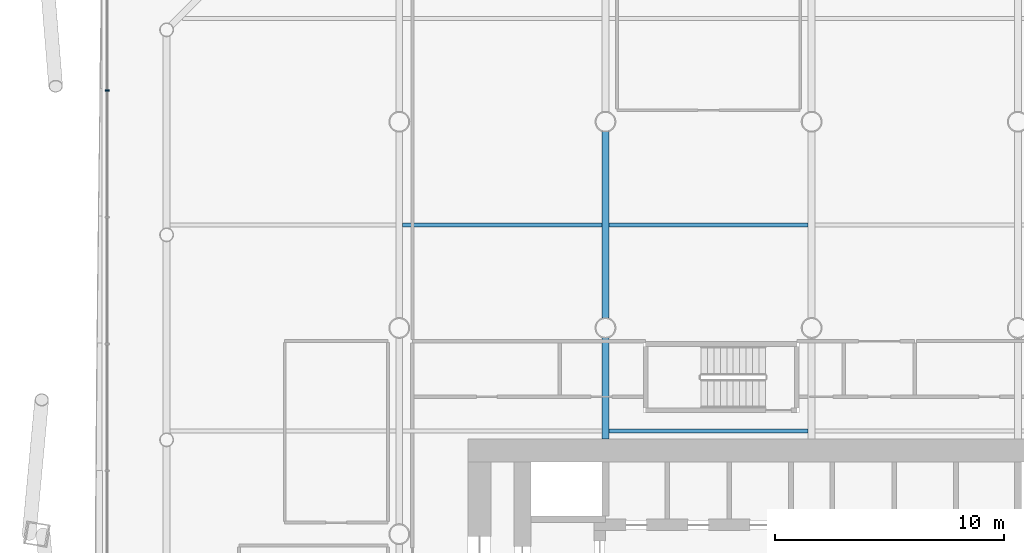
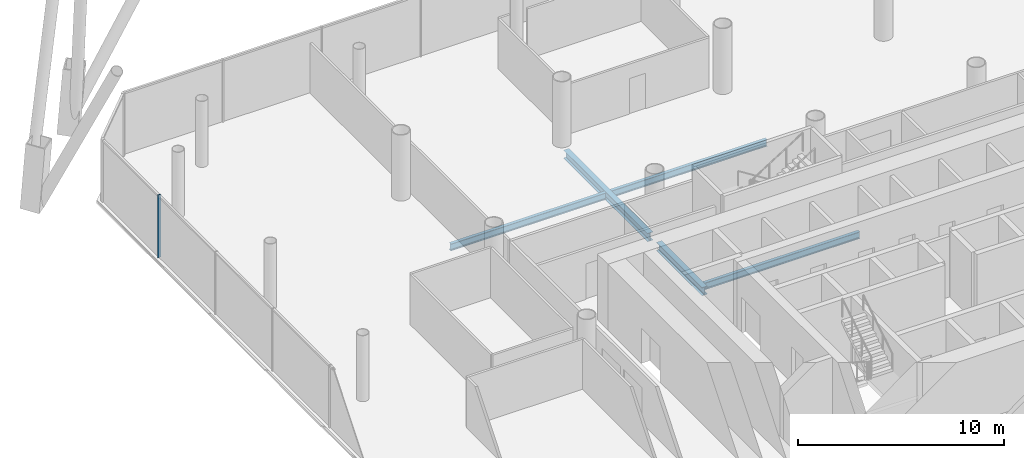
# One storey, part 10 of 25: 5 beams, 1 member, 1 element without a shape of its own.
"""IFC4 building model written with IfcOpenShell, lengths in metres."""

from ifc_helpers import new_model, si_unit, direction, frame, origin, origin_2d, place, context, subcontext, project, spatial, rectangle, i_section, extrude, material, material_profile, profile_set, type_object, element, aggregate, save


model = new_model("IFC4")

# Units and contexts
model_context = context("Model", 3, precision=1e-05, world=origin(), true_north=direction((0.0, 1.0)))
body_context = subcontext(model_context, "Body", "Model", "MODEL_VIEW")
ifc_project = project(units=[si_unit("LENGTHUNIT", "METRE"), si_unit("AREAUNIT", "SQUARE_METRE"), si_unit("VOLUMEUNIT", "CUBIC_METRE"), si_unit("PLANEANGLEUNIT", "RADIAN"), si_unit("MASSUNIT", "GRAM", prefix="KILO")], contexts=[model_context])

# Site, building, storey
site_placement = place(None, origin())
site = spatial("IfcSite", under=ifc_project, at=site_placement, CompositionType="ELEMENT")
building_placement = place(site_placement, origin())
building = spatial("IfcBuilding", under=site, at=building_placement, Name="Tskaro Facet Tower", CompositionType="ELEMENT")
storey_placement = place(building_placement, frame((0.0, 0.0, 10.800048828125)))
storey = spatial("IfcBuildingStorey", under=building, at=storey_placement, Name="L01", CompositionType="ELEMENT", Elevation=10.800048828125)

# Curtain wall, member
ifc_material_1 = material(Name="Bronze anodised aluminium 6063-T6", Category="aluminium")
curtain_wall_type = type_object("IfcCurtainWallType", Name="Bronze office curtain wall (FW1)", PredefinedType="NOTDEFINED", material=ifc_material_1)
curtain_wall_placement = place(storey_placement, origin())
curtain_wall = element("IfcCurtainWall", 1, at=curtain_wall_placement, inside=storey, type_object=curtain_wall_type, Name="FW1 west facet L01", PredefinedType="NOTDEFINED")
ifc_material_profile_1 = material_profile(ifc_material_1, rectangle(XDim=0.06005859375, YDim=0.159912109375, at=origin_2d()), Name="Mullion 60x160")
ifc_profile_set_1 = profile_set([ifc_material_profile_1], Name="Bronze anodised aluminium 6063-T6")
member_type = type_object("IfcMemberType", Name="FW1 bronze mullion 60x160", PredefinedType="MULLION", material=ifc_profile_set_1)
member_placement = place(storey_placement, frame((-30.75, 19.363525390625, 0.0), z_axis=(0.0, 0.0, 1.0), x_axis=(0.0, -1.0, 0.0)))
member = element("IfcMember", 2, at=member_placement, type_object=member_type, Name="FW1 west mullion 1", PredefinedType="MULLION", context=body_context, shape_type="SweptSolid", body=[
    extrude(rectangle(XDim=0.06005859375, YDim=0.159912109375, at=origin_2d()), origin(), (0.0, 0.0, 1.0), 3.699951171875),
])
aggregate(curtain_wall, [member])

# Beams
ifc_material_2 = material(Name="Steel S355J2", Category="steel")
ifc_material_profile_2 = material_profile(ifc_material_2, i_section(OverallWidth=0.300048828125, OverallDepth=0.489990234375, WebThickness=0.011962890625, FlangeThickness=0.02294921875, FilletRadius=0.027099609375, at=origin_2d()), Name="HE 500 A")
ifc_profile_set_2 = profile_set([ifc_material_profile_2], Name="Steel S355J2")
beam_type_1 = type_object("IfcBeamType", Name="HE 500 A girder", PredefinedType="BEAM", material=ifc_profile_set_2)
beam_1_placement = place(storey_placement, frame((-9.0, 4.14990234375, -0.385009765625), z_axis=(0.0, 1.0, 0.0), x_axis=(-1.0, 0.0, 0.0)))
element("IfcBeam", 3, at=beam_1_placement, inside=storey, type_object=beam_type_1, Name="HE 500 A GB3-3-1", PredefinedType="BEAM", context=body_context, shape_type="SweptSolid", body=[
    extrude(i_section(OverallWidth=0.300048828125, OverallDepth=0.489990234375, WebThickness=0.011962890625, FlangeThickness=0.02294921875, FilletRadius=0.027099609375, at=origin_2d()), origin(), (0.0, 0.0, 1.0), 4.4228515625),
])
beam_2_placement = place(storey_placement, frame((-9.0, 9.42724609375, -0.385009765625), z_axis=(0.0, 1.0, 0.0), x_axis=(-1.0, 0.0, 0.0)))
element("IfcBeam", 4, at=beam_2_placement, inside=storey, type_object=beam_type_1, Name="HE 500 A GB3-4-1", PredefinedType="BEAM", context=body_context, shape_type="SweptSolid", body=[
    extrude(i_section(OverallWidth=0.300048828125, OverallDepth=0.489990234375, WebThickness=0.011962890625, FlangeThickness=0.02294921875, FilletRadius=0.027099609375, at=origin_2d()), origin(), (0.0, 0.0, 1.0), 8.1455078125),
])
ifc_material_profile_3 = material_profile(ifc_material_2, i_section(OverallWidth=0.179931640625, OverallDepth=0.39990234375, WebThickness=0.008544921875, FlangeThickness=0.013427734375, FilletRadius=0.02099609375, at=origin_2d()), Name="IPE 400")
ifc_profile_set_3 = profile_set([ifc_material_profile_3], Name="Steel S355J2")
beam_type_2 = type_object("IfcBeamType", Name="IPE 400 secondary beam", PredefinedType="BEAM", material=ifc_profile_set_3)
for number, where, z_axis, x_axis, name in (
    (5, (-8.85009765625, 4.5, -0.340087890625), (1.0, 0.0, 0.0), (0.0, 1.0, 0.0), "IPE 400 SB4a-3-1"),
    (6, (-17.85009765625, 13.5, -0.340087890625), (1.0, 0.0, 0.0), (0.0, 1.0, 0.0), "IPE 400 SB5a-2-1"),
    (7, (-8.85009765625, 13.5, -0.340087890625), (1.0, 0.0, 0.0), (0.0, 1.0, 0.0), "IPE 400 SB5a-3-1"),
):
    element("IfcBeam", number, at=place(storey_placement, frame(where, z_axis=z_axis, x_axis=x_axis)), inside=storey, type_object=beam_type_2, Name=name, PredefinedType="BEAM", context=body_context, shape_type="SweptSolid", body=[
        extrude(i_section(OverallWidth=0.179931640625, OverallDepth=0.39990234375, WebThickness=0.008544921875, FlangeThickness=0.013427734375, FilletRadius=0.02099609375, at=origin_2d()), origin(), (0.0, 0.0, 1.0), 8.7001953125),
    ])

save(model, "model.ifc")
